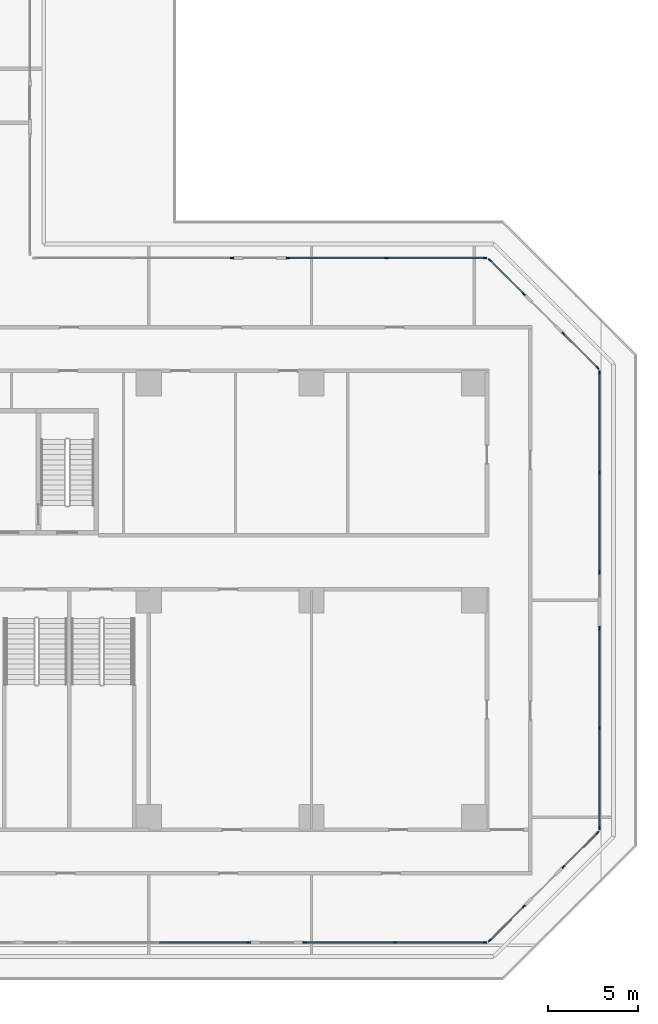
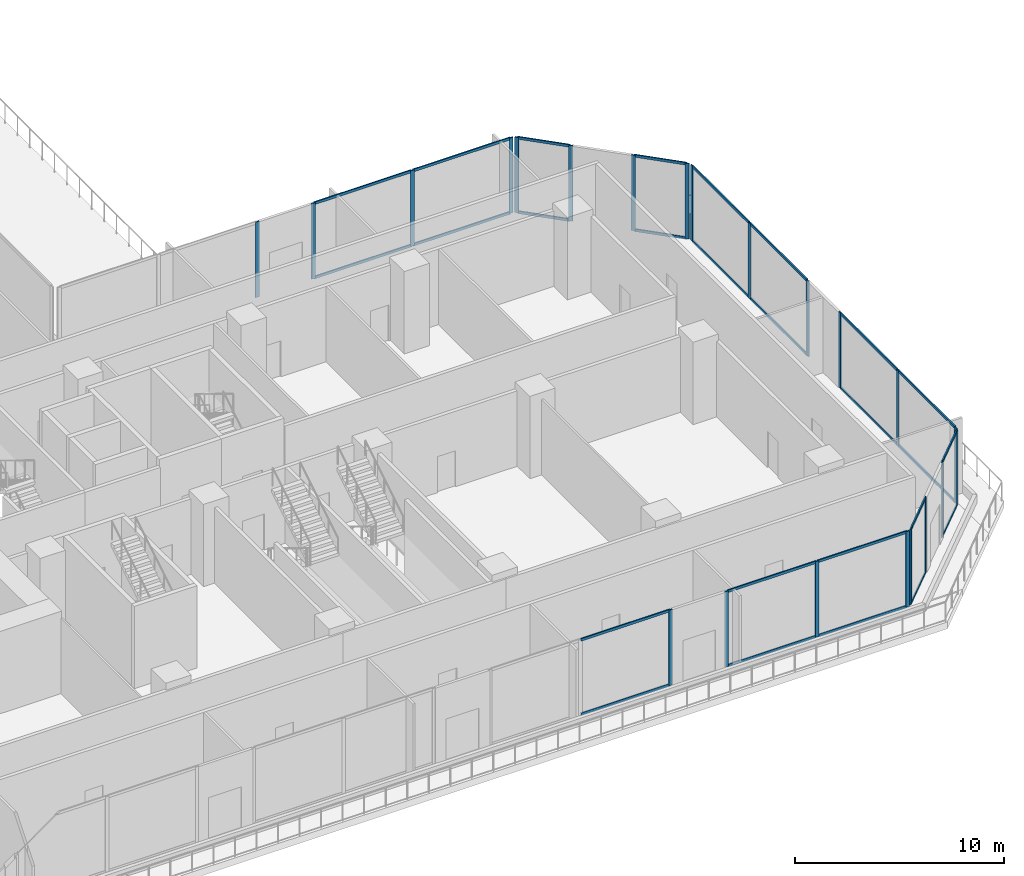
# One storey, part 7 of 25: 48 members, 10 elements without a shape of their own.
"""IFC4 building model written with IfcOpenShell, lengths in metres."""

from ifc_helpers import new_model, si_unit, direction, frame, origin, origin_2d, place, context, subcontext, project, spatial, rectangle, extrude, material, layer, layer_set, material_profile, profile_set, type_object, element, aggregate, save


model = new_model("IFC4")

# Units and contexts
model_context = context("Model", 3, precision=1e-05, world=origin(), true_north=direction((0.0, 1.0)))
body_context = subcontext(model_context, "Body", "Model", "MODEL_VIEW")
ifc_project = project(units=[si_unit("LENGTHUNIT", "METRE"), si_unit("AREAUNIT", "SQUARE_METRE"), si_unit("VOLUMEUNIT", "CUBIC_METRE"), si_unit("PLANEANGLEUNIT", "RADIAN"), si_unit("MASSUNIT", "GRAM", prefix="KILO")], contexts=[model_context])

# Site, building, storey
site_placement = place(None, origin())
site = spatial("IfcSite", under=ifc_project, at=site_placement, CompositionType="ELEMENT")
building_placement = place(site_placement, origin())
building = spatial("IfcBuilding", under=site, at=building_placement, Name="Chenar Terraces", CompositionType="ELEMENT")
storey_placement = place(building_placement, frame((0.0, 0.0, 21.60009765625)))
storey = spatial("IfcBuildingStorey", under=building, at=storey_placement, Name="L04", CompositionType="ELEMENT", Elevation=21.60009765625)

# Curtain wall, member
ifc_material_1 = material(Name="Aluminium framed glazing", Category="aluminium")
ifc_layer = layer(ifc_material_1, 0.14990234375)
ifc_layer_set = layer_set([ifc_layer], Name="Aluminium framed glazing")
curtain_wall_type = type_object("IfcCurtainWallType", Name="School curtain wall", PredefinedType="NOTDEFINED", material=ifc_layer_set)
placement = place(storey_placement, origin())
curtain_wall_1 = element("IfcCurtainWall", 1, at=placement, inside=storey, type_object=curtain_wall_type, Name="School curtain wall", PredefinedType="NOTDEFINED")
ifc_material_2 = material(Name="Aluminium", Category="aluminium")
ifc_material_profile_1 = material_profile(ifc_material_2, rectangle(XDim=0.070068359375, YDim=0.199951171875, at=origin_2d()), Name="School glazing mullion 70 x 200")
ifc_profile_set_1 = profile_set([ifc_material_profile_1], Name="Aluminium")
member_type_1 = type_object("IfcMemberType", Name="School glazing mullion 70 x 200", PredefinedType="MULLION", material=ifc_profile_set_1)
member_1_placement = place(storey_placement, frame((59.529541015625, -6.925048828125, 0.0), z_axis=(0.0, 0.0, 1.0), x_axis=(0.0, 1.0, 0.0)))
member_1 = element("IfcMember", 2, at=member_1_placement, type_object=member_type_1, Name="CW2-07c3 mullion 3", PredefinedType="MULLION", context=body_context, shape_type="SweptSolid", body=[
    extrude(rectangle(XDim=0.070068359375, YDim=0.199951171875, at=origin_2d()), origin(), (0.0, 0.0, 1.0), 4.39990234375),
])

# Curtain wall, members
curtain_wall_2 = element("IfcCurtainWall", 3, at=placement, inside=storey, type_object=curtain_wall_type, Name="School curtain wall", PredefinedType="NOTDEFINED")
member_2_placement = place(storey_placement, frame((62.62451171875, -6.925048828125, 0.0), z_axis=(0.0, 0.0, 1.0), x_axis=(0.0, 1.0, 0.0)))
member_2 = element("IfcMember", 4, at=member_2_placement, type_object=member_type_1, Name="CW2-07c4 mullion 1", PredefinedType="MULLION", context=body_context, shape_type="SweptSolid", body=[
    extrude(rectangle(XDim=0.070068359375, YDim=0.199951171875, at=origin_2d()), origin(), (0.0, 0.0, 1.0), 4.39990234375),
])
member_3_placement = place(storey_placement, frame((67.60888671875, -6.925048828125, 0.0), z_axis=(0.0, 0.0, 1.0), x_axis=(0.0, 1.0, 0.0)))
member_3 = element("IfcMember", 5, at=member_3_placement, type_object=member_type_1, Name="CW2-07c4 mullion 2", PredefinedType="MULLION", context=body_context, shape_type="SweptSolid", body=[
    extrude(rectangle(XDim=0.070068359375, YDim=0.199951171875, at=origin_2d()), origin(), (0.0, 0.0, 1.0), 4.39990234375),
])
member_4_placement = place(storey_placement, frame((72.59326171875, -6.925048828125, 0.0), z_axis=(0.0, 0.0, 1.0), x_axis=(0.0, 1.0, 0.0)))
member_4 = element("IfcMember", 6, at=member_4_placement, type_object=member_type_1, Name="CW2-07c4 mullion 3", PredefinedType="MULLION", context=body_context, shape_type="SweptSolid", body=[
    extrude(rectangle(XDim=0.070068359375, YDim=0.199951171875, at=origin_2d()), origin(), (0.0, 0.0, 1.0), 4.39990234375),
])

curtain_wall_3 = element("IfcCurtainWall", 7, at=placement, inside=storey, type_object=curtain_wall_type, Name="School curtain wall", PredefinedType="NOTDEFINED")
member_5_placement = place(storey_placement, frame((72.85595703125, -6.816162109375, 0.0), z_axis=(0.0, 0.0, 1.0), x_axis=(-0.707106781187, 0.707106781187, 0.0)))
member_5 = element("IfcMember", 8, at=member_5_placement, type_object=member_type_1, Name="CW2-08c0 mullion 1", PredefinedType="MULLION", context=body_context, shape_type="SweptSolid", body=[
    extrude(rectangle(XDim=0.070068359375, YDim=0.199951171875, at=origin_2d()), origin(), (0.0, 0.0, 1.0), 4.39990234375),
])
member_6_placement = place(storey_placement, frame((74.741943359375, -4.930419921875, 0.0), z_axis=(0.0, 0.0, 1.0), x_axis=(-0.707106781187, 0.707106781187, 0.0)))
member_6 = element("IfcMember", 9, at=member_6_placement, type_object=member_type_1, Name="CW2-08c0 mullion 2", PredefinedType="MULLION", context=body_context, shape_type="SweptSolid", body=[
    extrude(rectangle(XDim=0.070068359375, YDim=0.199951171875, at=origin_2d()), origin(), (0.0, 0.0, 1.0), 4.39990234375),
])

curtain_wall_4 = element("IfcCurtainWall", 10, at=placement, inside=storey, type_object=curtain_wall_type, Name="School curtain wall", PredefinedType="NOTDEFINED")
member_7_placement = place(storey_placement, frame((76.930419921875, -2.741943359375, 0.0), z_axis=(0.0, 0.0, 1.0), x_axis=(-0.707106781187, 0.707106781187, 0.0)))
member_7 = element("IfcMember", 11, at=member_7_placement, type_object=member_type_1, Name="CW2-08c1 mullion 1", PredefinedType="MULLION", context=body_context, shape_type="SweptSolid", body=[
    extrude(rectangle(XDim=0.070068359375, YDim=0.199951171875, at=origin_2d()), origin(), (0.0, 0.0, 1.0), 4.39990234375),
])
member_8_placement = place(storey_placement, frame((78.816162109375, -0.85595703125, 0.0), z_axis=(0.0, 0.0, 1.0), x_axis=(-0.707106781187, 0.707106781187, 0.0)))
member_8 = element("IfcMember", 12, at=member_8_placement, type_object=member_type_1, Name="CW2-08c1 mullion 2", PredefinedType="MULLION", context=body_context, shape_type="SweptSolid", body=[
    extrude(rectangle(XDim=0.070068359375, YDim=0.199951171875, at=origin_2d()), origin(), (0.0, 0.0, 1.0), 4.39990234375),
])

curtain_wall_5 = element("IfcCurtainWall", 13, at=placement, inside=storey, type_object=curtain_wall_type, Name="School curtain wall", PredefinedType="NOTDEFINED")
member_9_placement = place(storey_placement, frame((78.925048828125, -0.59326171875, 0.0), z_axis=(0.0, 0.0, 1.0), x_axis=(-1.0, 0.0, 0.0)))
member_9 = element("IfcMember", 14, at=member_9_placement, type_object=member_type_1, Name="CW2-09c0 mullion 1", PredefinedType="MULLION", context=body_context, shape_type="SweptSolid", body=[
    extrude(rectangle(XDim=0.070068359375, YDim=0.199951171875, at=origin_2d()), origin(), (0.0, 0.0, 1.0), 4.39990234375),
])
member_10_placement = place(storey_placement, frame((78.925048828125, 4.9296875, 0.0), z_axis=(0.0, 0.0, 1.0), x_axis=(-1.0, 0.0, 0.0)))
member_10 = element("IfcMember", 15, at=member_10_placement, type_object=member_type_1, Name="CW2-09c0 mullion 2", PredefinedType="MULLION", context=body_context, shape_type="SweptSolid", body=[
    extrude(rectangle(XDim=0.070068359375, YDim=0.199951171875, at=origin_2d()), origin(), (0.0, 0.0, 1.0), 4.39990234375),
])
member_11_placement = place(storey_placement, frame((78.925048828125, 10.452392578125, 0.0), z_axis=(0.0, 0.0, 1.0), x_axis=(-1.0, 0.0, 0.0)))
member_11 = element("IfcMember", 16, at=member_11_placement, type_object=member_type_1, Name="CW2-09c0 mullion 3", PredefinedType="MULLION", context=body_context, shape_type="SweptSolid", body=[
    extrude(rectangle(XDim=0.070068359375, YDim=0.199951171875, at=origin_2d()), origin(), (0.0, 0.0, 1.0), 4.39990234375),
])

curtain_wall_6 = element("IfcCurtainWall", 17, at=placement, inside=storey, type_object=curtain_wall_type, Name="School curtain wall", PredefinedType="NOTDEFINED")
member_12_placement = place(storey_placement, frame((78.925048828125, 13.547607421875, 0.0), z_axis=(0.0, 0.0, 1.0), x_axis=(-1.0, 0.0, 0.0)))
member_12 = element("IfcMember", 18, at=member_12_placement, type_object=member_type_1, Name="CW2-09c1 mullion 1", PredefinedType="MULLION", context=body_context, shape_type="SweptSolid", body=[
    extrude(rectangle(XDim=0.070068359375, YDim=0.199951171875, at=origin_2d()), origin(), (0.0, 0.0, 1.0), 4.39990234375),
])
member_13_placement = place(storey_placement, frame((78.925048828125, 19.0703125, 0.0), z_axis=(0.0, 0.0, 1.0), x_axis=(-1.0, 0.0, 0.0)))
member_13 = element("IfcMember", 19, at=member_13_placement, type_object=member_type_1, Name="CW2-09c1 mullion 2", PredefinedType="MULLION", context=body_context, shape_type="SweptSolid", body=[
    extrude(rectangle(XDim=0.070068359375, YDim=0.199951171875, at=origin_2d()), origin(), (0.0, 0.0, 1.0), 4.39990234375),
])
member_14_placement = place(storey_placement, frame((78.925048828125, 24.59326171875, 0.0), z_axis=(0.0, 0.0, 1.0), x_axis=(-1.0, 0.0, 0.0)))
member_14 = element("IfcMember", 20, at=member_14_placement, type_object=member_type_1, Name="CW2-09c1 mullion 3", PredefinedType="MULLION", context=body_context, shape_type="SweptSolid", body=[
    extrude(rectangle(XDim=0.070068359375, YDim=0.199951171875, at=origin_2d()), origin(), (0.0, 0.0, 1.0), 4.39990234375),
])

curtain_wall_7 = element("IfcCurtainWall", 21, at=placement, inside=storey, type_object=curtain_wall_type, Name="School curtain wall", PredefinedType="NOTDEFINED")
member_15_placement = place(storey_placement, frame((78.816162109375, 24.85595703125, 0.0), z_axis=(0.0, 0.0, 1.0), x_axis=(-0.707106781187, -0.707106781187, 0.0)))
member_15 = element("IfcMember", 22, at=member_15_placement, type_object=member_type_1, Name="CW2-10c0 mullion 1", PredefinedType="MULLION", context=body_context, shape_type="SweptSolid", body=[
    extrude(rectangle(XDim=0.070068359375, YDim=0.199951171875, at=origin_2d()), origin(), (0.0, 0.0, 1.0), 4.39990234375),
])
member_16_placement = place(storey_placement, frame((76.930419921875, 26.741943359375, 0.0), z_axis=(0.0, 0.0, 1.0), x_axis=(-0.707106781187, -0.707106781187, 0.0)))
member_16 = element("IfcMember", 23, at=member_16_placement, type_object=member_type_1, Name="CW2-10c0 mullion 2", PredefinedType="MULLION", context=body_context, shape_type="SweptSolid", body=[
    extrude(rectangle(XDim=0.070068359375, YDim=0.199951171875, at=origin_2d()), origin(), (0.0, 0.0, 1.0), 4.39990234375),
])

curtain_wall_8 = element("IfcCurtainWall", 24, at=placement, inside=storey, type_object=curtain_wall_type, Name="School curtain wall", PredefinedType="NOTDEFINED")
member_17_placement = place(storey_placement, frame((74.741943359375, 28.930419921875, 0.0), z_axis=(0.0, 0.0, 1.0), x_axis=(-0.707106781187, -0.707106781187, 0.0)))
member_17 = element("IfcMember", 25, at=member_17_placement, type_object=member_type_1, Name="CW2-10c1 mullion 1", PredefinedType="MULLION", context=body_context, shape_type="SweptSolid", body=[
    extrude(rectangle(XDim=0.070068359375, YDim=0.199951171875, at=origin_2d()), origin(), (0.0, 0.0, 1.0), 4.39990234375),
])
member_18_placement = place(storey_placement, frame((72.85595703125, 30.816162109375, 0.0), z_axis=(0.0, 0.0, 1.0), x_axis=(-0.707106781187, -0.707106781187, 0.0)))
member_18 = element("IfcMember", 26, at=member_18_placement, type_object=member_type_1, Name="CW2-10c1 mullion 2", PredefinedType="MULLION", context=body_context, shape_type="SweptSolid", body=[
    extrude(rectangle(XDim=0.070068359375, YDim=0.199951171875, at=origin_2d()), origin(), (0.0, 0.0, 1.0), 4.39990234375),
])

curtain_wall_9 = element("IfcCurtainWall", 27, at=placement, inside=storey, type_object=curtain_wall_type, Name="School curtain wall", PredefinedType="NOTDEFINED")
member_19_placement = place(storey_placement, frame((72.59326171875, 30.925048828125, 0.0), z_axis=(0.0, 0.0, 1.0), x_axis=(0.0, -1.0, 0.0)))
member_19 = element("IfcMember", 28, at=member_19_placement, type_object=member_type_1, Name="CW2-11c0 mullion 1", PredefinedType="MULLION", context=body_context, shape_type="SweptSolid", body=[
    extrude(rectangle(XDim=0.070068359375, YDim=0.199951171875, at=origin_2d()), origin(), (0.0, 0.0, 1.0), 4.39990234375),
])
member_20_placement = place(storey_placement, frame((67.139892578125, 30.925048828125, 0.0), z_axis=(0.0, 0.0, 1.0), x_axis=(0.0, -1.0, 0.0)))
member_20 = element("IfcMember", 29, at=member_20_placement, type_object=member_type_1, Name="CW2-11c0 mullion 2", PredefinedType="MULLION", context=body_context, shape_type="SweptSolid", body=[
    extrude(rectangle(XDim=0.070068359375, YDim=0.199951171875, at=origin_2d()), origin(), (0.0, 0.0, 1.0), 4.39990234375),
])
member_21_placement = place(storey_placement, frame((61.6865234375, 30.925048828125, 0.0), z_axis=(0.0, 0.0, 1.0), x_axis=(0.0, -1.0, 0.0)))
member_21 = element("IfcMember", 30, at=member_21_placement, type_object=member_type_1, Name="CW2-11c0 mullion 3", PredefinedType="MULLION", context=body_context, shape_type="SweptSolid", body=[
    extrude(rectangle(XDim=0.070068359375, YDim=0.199951171875, at=origin_2d()), origin(), (0.0, 0.0, 1.0), 4.39990234375),
])

# Curtain wall, member
curtain_wall_10 = element("IfcCurtainWall", 31, at=placement, inside=storey, type_object=curtain_wall_type, Name="School curtain wall", PredefinedType="NOTDEFINED")
member_22_placement = place(storey_placement, frame((58.591552734375, 30.925048828125, 0.0), z_axis=(0.0, 0.0, 1.0), x_axis=(0.0, -1.0, 0.0)))
member_22 = element("IfcMember", 32, at=member_22_placement, type_object=member_type_1, Name="CW2-11c1 mullion 1", PredefinedType="MULLION", context=body_context, shape_type="SweptSolid", body=[
    extrude(rectangle(XDim=0.070068359375, YDim=0.199951171875, at=origin_2d()), origin(), (0.0, 0.0, 1.0), 4.39990234375),
])
aggregate(curtain_wall_10, [member_22])

# Member
ifc_material_3 = material(Name="Aluminium", Category="aluminium")
ifc_material_profile_2 = material_profile(ifc_material_3, rectangle(XDim=0.070068359375, YDim=0.14990234375, at=origin_2d()), Name="School glazing transom 70 x 150")
ifc_profile_set_2 = profile_set([ifc_material_profile_2], Name="Aluminium")
member_type_2 = type_object("IfcMemberType", Name="School glazing transom 70 x 150", PredefinedType="USERDEFINED", material=ifc_profile_set_2)
member_23_placement = place(storey_placement, frame((54.586181640625, -6.925048828125, 0.034912109375), z_axis=(1.0, 0.0, 0.0), x_axis=(0.0, 1.0, 0.0)))
member_23 = element("IfcMember", 33, at=member_23_placement, type_object=member_type_2, Name="CW2-07c3 transom 2.1", ObjectType="TRANSOM", PredefinedType="USERDEFINED", context=body_context, shape_type="SweptSolid", body=[
    extrude(rectangle(XDim=0.070068359375, YDim=0.14990234375, at=origin_2d()), origin(), (0.0, 0.0, 1.0), 4.908203125),
])

member_24_placement = place(storey_placement, frame((54.586181640625, -6.925048828125, 4.364990234375), z_axis=(1.0, 0.0, 0.0), x_axis=(0.0, 1.0, 0.0)))
member_24 = element("IfcMember", 34, at=member_24_placement, type_object=member_type_2, Name="CW2-07c3 transom 2.2", ObjectType="TRANSOM", PredefinedType="USERDEFINED", context=body_context, shape_type="SweptSolid", body=[
    extrude(rectangle(XDim=0.070068359375, YDim=0.14990234375, at=origin_2d()), origin(), (0.0, 0.0, 1.0), 4.908203125),
])

aggregate(curtain_wall_1, [member_1, member_23, member_24])

member_25_placement = place(storey_placement, frame((62.659423828125, -6.925048828125, 0.034912109375), z_axis=(1.0, 0.0, 0.0), x_axis=(0.0, 1.0, 0.0)))
member_25 = element("IfcMember", 35, at=member_25_placement, type_object=member_type_2, Name="CW2-07c4 transom 1.1", ObjectType="TRANSOM", PredefinedType="USERDEFINED", context=body_context, shape_type="SweptSolid", body=[
    extrude(rectangle(XDim=0.070068359375, YDim=0.14990234375, at=origin_2d()), origin(), (0.0, 0.0, 1.0), 4.914306640625),
])

member_26_placement = place(storey_placement, frame((62.659423828125, -6.925048828125, 4.364990234375), z_axis=(1.0, 0.0, 0.0), x_axis=(0.0, 1.0, 0.0)))
member_26 = element("IfcMember", 36, at=member_26_placement, type_object=member_type_2, Name="CW2-07c4 transom 1.2", ObjectType="TRANSOM", PredefinedType="USERDEFINED", context=body_context, shape_type="SweptSolid", body=[
    extrude(rectangle(XDim=0.070068359375, YDim=0.14990234375, at=origin_2d()), origin(), (0.0, 0.0, 1.0), 4.914306640625),
])

member_27_placement = place(storey_placement, frame((67.643798828125, -6.925048828125, 0.034912109375), z_axis=(1.0, 0.0, 0.0), x_axis=(0.0, 1.0, 0.0)))
member_27 = element("IfcMember", 37, at=member_27_placement, type_object=member_type_2, Name="CW2-07c4 transom 2.1", ObjectType="TRANSOM", PredefinedType="USERDEFINED", context=body_context, shape_type="SweptSolid", body=[
    extrude(rectangle(XDim=0.070068359375, YDim=0.14990234375, at=origin_2d()), origin(), (0.0, 0.0, 1.0), 4.914306640625),
])

member_28_placement = place(storey_placement, frame((67.643798828125, -6.925048828125, 4.364990234375), z_axis=(1.0, 0.0, 0.0), x_axis=(0.0, 1.0, 0.0)))
member_28 = element("IfcMember", 38, at=member_28_placement, type_object=member_type_2, Name="CW2-07c4 transom 2.2", ObjectType="TRANSOM", PredefinedType="USERDEFINED", context=body_context, shape_type="SweptSolid", body=[
    extrude(rectangle(XDim=0.070068359375, YDim=0.14990234375, at=origin_2d()), origin(), (0.0, 0.0, 1.0), 4.914306640625),
])

aggregate(curtain_wall_2, [member_2, member_3, member_4, member_25, member_26, member_27, member_28])

member_29_placement = place(storey_placement, frame((72.880615234375, -6.79150390625, 0.034912109375), z_axis=(0.707106781187, 0.707106781187, 0.0), x_axis=(-0.707106781187, 0.707106781187, 0.0)))
member_29 = element("IfcMember", 39, at=member_29_placement, type_object=member_type_2, Name="CW2-08c0 transom 1.1", ObjectType="TRANSOM", PredefinedType="USERDEFINED", context=body_context, shape_type="SweptSolid", body=[
    extrude(rectangle(XDim=0.070068359375, YDim=0.14990234375, at=origin_2d()), origin(), (0.0, 0.0, 1.0), 2.59716796875),
])

member_30_placement = place(storey_placement, frame((72.880615234375, -6.79150390625, 4.364990234375), z_axis=(0.707106781187, 0.707106781187, 0.0), x_axis=(-0.707106781187, 0.707106781187, 0.0)))
member_30 = element("IfcMember", 40, at=member_30_placement, type_object=member_type_2, Name="CW2-08c0 transom 1.2", ObjectType="TRANSOM", PredefinedType="USERDEFINED", context=body_context, shape_type="SweptSolid", body=[
    extrude(rectangle(XDim=0.070068359375, YDim=0.14990234375, at=origin_2d()), origin(), (0.0, 0.0, 1.0), 2.59716796875),
])

aggregate(curtain_wall_3, [member_5, member_6, member_29, member_30])

member_31_placement = place(storey_placement, frame((76.955078125, -2.717041015625, 0.034912109375), z_axis=(0.707106781187, 0.707106781187, 0.0), x_axis=(-0.707106781187, 0.707106781187, 0.0)))
member_31 = element("IfcMember", 41, at=member_31_placement, type_object=member_type_2, Name="CW2-08c1 transom 1.1", ObjectType="TRANSOM", PredefinedType="USERDEFINED", context=body_context, shape_type="SweptSolid", body=[
    extrude(rectangle(XDim=0.070068359375, YDim=0.14990234375, at=origin_2d()), origin(), (0.0, 0.0, 1.0), 2.59716796875),
])

member_32_placement = place(storey_placement, frame((76.955078125, -2.717041015625, 4.364990234375), z_axis=(0.707106781187, 0.707106781187, 0.0), x_axis=(-0.707106781187, 0.707106781187, 0.0)))
member_32 = element("IfcMember", 42, at=member_32_placement, type_object=member_type_2, Name="CW2-08c1 transom 1.2", ObjectType="TRANSOM", PredefinedType="USERDEFINED", context=body_context, shape_type="SweptSolid", body=[
    extrude(rectangle(XDim=0.070068359375, YDim=0.14990234375, at=origin_2d()), origin(), (0.0, 0.0, 1.0), 2.59716796875),
])

aggregate(curtain_wall_4, [member_7, member_8, member_31, member_32])

member_33_placement = place(storey_placement, frame((78.925048828125, -0.55810546875, 0.034912109375), z_axis=(0.0, 1.0, 0.0), x_axis=(-1.0, 0.0, 0.0)))
member_33 = element("IfcMember", 43, at=member_33_placement, type_object=member_type_2, Name="CW2-09c0 transom 1.1", ObjectType="TRANSOM", PredefinedType="USERDEFINED", context=body_context, shape_type="SweptSolid", body=[
    extrude(rectangle(XDim=0.070068359375, YDim=0.14990234375, at=origin_2d()), origin(), (0.0, 0.0, 1.0), 5.45263671875),
])

member_34_placement = place(storey_placement, frame((78.925048828125, -0.55810546875, 4.364990234375), z_axis=(0.0, 1.0, 0.0), x_axis=(-1.0, 0.0, 0.0)))
member_34 = element("IfcMember", 44, at=member_34_placement, type_object=member_type_2, Name="CW2-09c0 transom 1.2", ObjectType="TRANSOM", PredefinedType="USERDEFINED", context=body_context, shape_type="SweptSolid", body=[
    extrude(rectangle(XDim=0.070068359375, YDim=0.14990234375, at=origin_2d()), origin(), (0.0, 0.0, 1.0), 5.45263671875),
])

member_35_placement = place(storey_placement, frame((78.925048828125, 4.964599609375, 0.034912109375), z_axis=(0.0, 1.0, 0.0), x_axis=(-1.0, 0.0, 0.0)))
member_35 = element("IfcMember", 45, at=member_35_placement, type_object=member_type_2, Name="CW2-09c0 transom 2.1", ObjectType="TRANSOM", PredefinedType="USERDEFINED", context=body_context, shape_type="SweptSolid", body=[
    extrude(rectangle(XDim=0.070068359375, YDim=0.14990234375, at=origin_2d()), origin(), (0.0, 0.0, 1.0), 5.452880859375),
])

member_36_placement = place(storey_placement, frame((78.925048828125, 4.964599609375, 4.364990234375), z_axis=(0.0, 1.0, 0.0), x_axis=(-1.0, 0.0, 0.0)))
member_36 = element("IfcMember", 46, at=member_36_placement, type_object=member_type_2, Name="CW2-09c0 transom 2.2", ObjectType="TRANSOM", PredefinedType="USERDEFINED", context=body_context, shape_type="SweptSolid", body=[
    extrude(rectangle(XDim=0.070068359375, YDim=0.14990234375, at=origin_2d()), origin(), (0.0, 0.0, 1.0), 5.452880859375),
])

aggregate(curtain_wall_5, [member_9, member_10, member_11, member_33, member_34, member_35, member_36])

member_37_placement = place(storey_placement, frame((78.925048828125, 13.58251953125, 0.034912109375), z_axis=(0.0, 1.0, 0.0), x_axis=(-1.0, 0.0, 0.0)))
member_37 = element("IfcMember", 47, at=member_37_placement, type_object=member_type_2, Name="CW2-09c1 transom 1.1", ObjectType="TRANSOM", PredefinedType="USERDEFINED", context=body_context, shape_type="SweptSolid", body=[
    extrude(rectangle(XDim=0.070068359375, YDim=0.14990234375, at=origin_2d()), origin(), (0.0, 0.0, 1.0), 5.452880859375),
])

member_38_placement = place(storey_placement, frame((78.925048828125, 13.58251953125, 4.364990234375), z_axis=(0.0, 1.0, 0.0), x_axis=(-1.0, 0.0, 0.0)))
member_38 = element("IfcMember", 48, at=member_38_placement, type_object=member_type_2, Name="CW2-09c1 transom 1.2", ObjectType="TRANSOM", PredefinedType="USERDEFINED", context=body_context, shape_type="SweptSolid", body=[
    extrude(rectangle(XDim=0.070068359375, YDim=0.14990234375, at=origin_2d()), origin(), (0.0, 0.0, 1.0), 5.452880859375),
])

member_39_placement = place(storey_placement, frame((78.925048828125, 19.10546875, 0.034912109375), z_axis=(0.0, 1.0, 0.0), x_axis=(-1.0, 0.0, 0.0)))
member_39 = element("IfcMember", 49, at=member_39_placement, type_object=member_type_2, Name="CW2-09c1 transom 2.1", ObjectType="TRANSOM", PredefinedType="USERDEFINED", context=body_context, shape_type="SweptSolid", body=[
    extrude(rectangle(XDim=0.070068359375, YDim=0.14990234375, at=origin_2d()), origin(), (0.0, 0.0, 1.0), 5.45263671875),
])

member_40_placement = place(storey_placement, frame((78.925048828125, 19.10546875, 4.364990234375), z_axis=(0.0, 1.0, 0.0), x_axis=(-1.0, 0.0, 0.0)))
member_40 = element("IfcMember", 50, at=member_40_placement, type_object=member_type_2, Name="CW2-09c1 transom 2.2", ObjectType="TRANSOM", PredefinedType="USERDEFINED", context=body_context, shape_type="SweptSolid", body=[
    extrude(rectangle(XDim=0.070068359375, YDim=0.14990234375, at=origin_2d()), origin(), (0.0, 0.0, 1.0), 5.45263671875),
])

aggregate(curtain_wall_6, [member_12, member_13, member_14, member_37, member_38, member_39, member_40])

member_41_placement = place(storey_placement, frame((78.79150390625, 24.880615234375, 0.034912109375), z_axis=(-0.707106781187, 0.707106781187, 0.0), x_axis=(-0.707106781187, -0.707106781187, 0.0)))
member_41 = element("IfcMember", 51, at=member_41_placement, type_object=member_type_2, Name="CW2-10c0 transom 1.1", ObjectType="TRANSOM", PredefinedType="USERDEFINED", context=body_context, shape_type="SweptSolid", body=[
    extrude(rectangle(XDim=0.070068359375, YDim=0.14990234375, at=origin_2d()), origin(), (0.0, 0.0, 1.0), 2.59716796875),
])

member_42_placement = place(storey_placement, frame((78.79150390625, 24.880615234375, 4.364990234375), z_axis=(-0.707106781187, 0.707106781187, 0.0), x_axis=(-0.707106781187, -0.707106781187, 0.0)))
member_42 = element("IfcMember", 52, at=member_42_placement, type_object=member_type_2, Name="CW2-10c0 transom 1.2", ObjectType="TRANSOM", PredefinedType="USERDEFINED", context=body_context, shape_type="SweptSolid", body=[
    extrude(rectangle(XDim=0.070068359375, YDim=0.14990234375, at=origin_2d()), origin(), (0.0, 0.0, 1.0), 2.59716796875),
])

aggregate(curtain_wall_7, [member_15, member_16, member_41, member_42])

member_43_placement = place(storey_placement, frame((74.717041015625, 28.955078125, 0.034912109375), z_axis=(-0.707106781187, 0.707106781187, 0.0), x_axis=(-0.707106781187, -0.707106781187, 0.0)))
member_43 = element("IfcMember", 53, at=member_43_placement, type_object=member_type_2, Name="CW2-10c1 transom 1.1", ObjectType="TRANSOM", PredefinedType="USERDEFINED", context=body_context, shape_type="SweptSolid", body=[
    extrude(rectangle(XDim=0.070068359375, YDim=0.14990234375, at=origin_2d()), origin(), (0.0, 0.0, 1.0), 2.59716796875),
])

member_44_placement = place(storey_placement, frame((74.717041015625, 28.955078125, 4.364990234375), z_axis=(-0.707106781187, 0.707106781187, 0.0), x_axis=(-0.707106781187, -0.707106781187, 0.0)))
member_44 = element("IfcMember", 54, at=member_44_placement, type_object=member_type_2, Name="CW2-10c1 transom 1.2", ObjectType="TRANSOM", PredefinedType="USERDEFINED", context=body_context, shape_type="SweptSolid", body=[
    extrude(rectangle(XDim=0.070068359375, YDim=0.14990234375, at=origin_2d()), origin(), (0.0, 0.0, 1.0), 2.59716796875),
])

aggregate(curtain_wall_8, [member_17, member_18, member_43, member_44])

member_45_placement = place(storey_placement, frame((72.55810546875, 30.925048828125, 0.034912109375), z_axis=(-1.0, 0.0, 0.0), x_axis=(0.0, -1.0, 0.0)))
member_45 = element("IfcMember", 55, at=member_45_placement, type_object=member_type_2, Name="CW2-11c0 transom 1.1", ObjectType="TRANSOM", PredefinedType="USERDEFINED", context=body_context, shape_type="SweptSolid", body=[
    extrude(rectangle(XDim=0.070068359375, YDim=0.14990234375, at=origin_2d()), origin(), (0.0, 0.0, 1.0), 5.38330078125),
])

member_46_placement = place(storey_placement, frame((72.55810546875, 30.925048828125, 4.364990234375), z_axis=(-1.0, 0.0, 0.0), x_axis=(0.0, -1.0, 0.0)))
member_46 = element("IfcMember", 56, at=member_46_placement, type_object=member_type_2, Name="CW2-11c0 transom 1.2", ObjectType="TRANSOM", PredefinedType="USERDEFINED", context=body_context, shape_type="SweptSolid", body=[
    extrude(rectangle(XDim=0.070068359375, YDim=0.14990234375, at=origin_2d()), origin(), (0.0, 0.0, 1.0), 5.38330078125),
])

member_47_placement = place(storey_placement, frame((67.10498046875, 30.925048828125, 0.034912109375), z_axis=(-1.0, 0.0, 0.0), x_axis=(0.0, -1.0, 0.0)))
member_47 = element("IfcMember", 57, at=member_47_placement, type_object=member_type_2, Name="CW2-11c0 transom 2.1", ObjectType="TRANSOM", PredefinedType="USERDEFINED", context=body_context, shape_type="SweptSolid", body=[
    extrude(rectangle(XDim=0.070068359375, YDim=0.14990234375, at=origin_2d()), origin(), (0.0, 0.0, 1.0), 5.38330078125),
])

member_48_placement = place(storey_placement, frame((67.10498046875, 30.925048828125, 4.364990234375), z_axis=(-1.0, 0.0, 0.0), x_axis=(0.0, -1.0, 0.0)))
member_48 = element("IfcMember", 58, at=member_48_placement, type_object=member_type_2, Name="CW2-11c0 transom 2.2", ObjectType="TRANSOM", PredefinedType="USERDEFINED", context=body_context, shape_type="SweptSolid", body=[
    extrude(rectangle(XDim=0.070068359375, YDim=0.14990234375, at=origin_2d()), origin(), (0.0, 0.0, 1.0), 5.38330078125),
])

aggregate(curtain_wall_9, [member_19, member_20, member_21, member_45, member_46, member_47, member_48])

save(model, "model.ifc")
